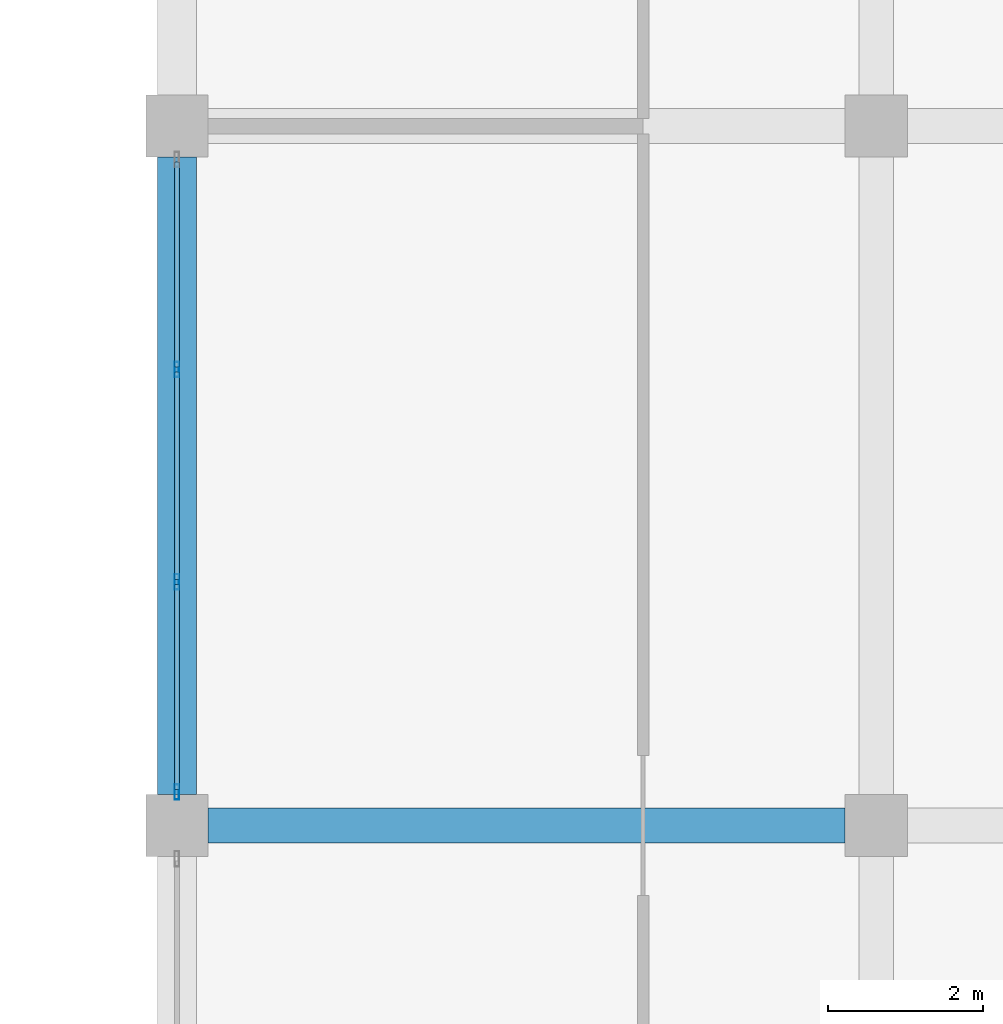
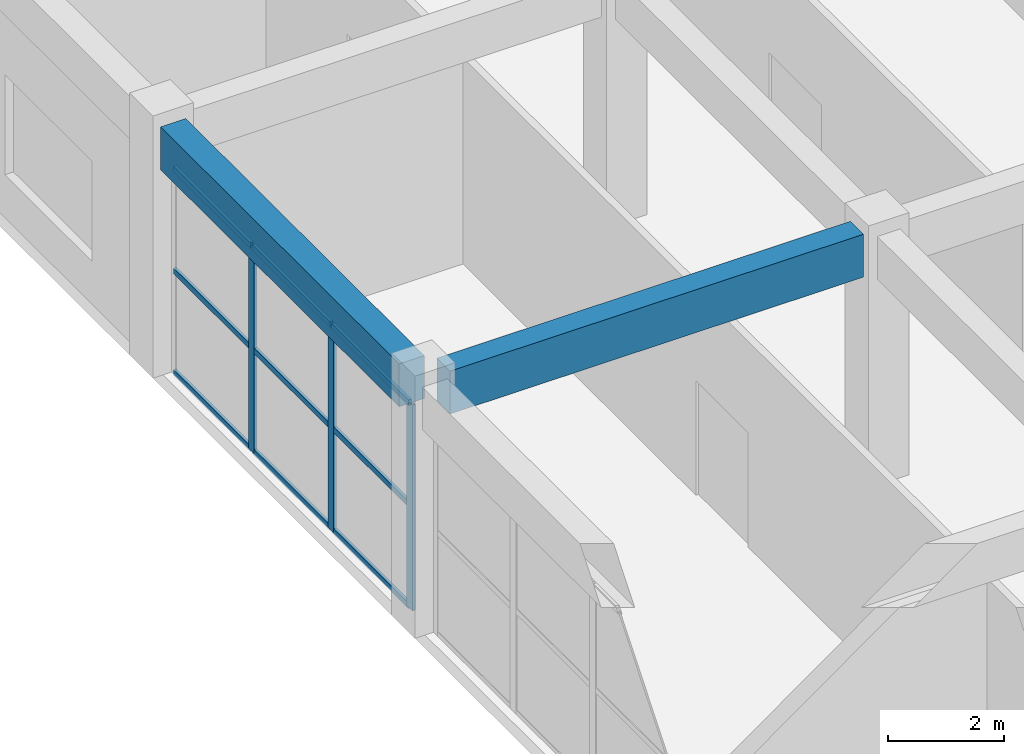
# One storey, part 210 of 437: 12 members, 2 beams, 1 element without a shape of its own.
"""IFC4 building model written with IfcOpenShell, lengths in metres."""

from ifc_helpers import new_model, si_unit, direction, frame, origin, origin_2d, place, context, subcontext, project, spatial, rectangle, hollow_rectangle, extrude, material, layer, layer_set, material_profile, profile_set, type_object, element, aggregate, save


model = new_model("IFC4")

# Units and contexts
model_context = context("Model", 3, precision=1e-05, world=origin(), true_north=direction((0.0, 1.0)))
body_context = subcontext(model_context, "Body", "Model", "MODEL_VIEW")
ifc_project = project(units=[si_unit("LENGTHUNIT", "METRE"), si_unit("AREAUNIT", "SQUARE_METRE"), si_unit("VOLUMEUNIT", "CUBIC_METRE"), si_unit("PLANEANGLEUNIT", "RADIAN"), si_unit("MASSUNIT", "GRAM", prefix="KILO")], contexts=[model_context])

# Site, building, storey
site_placement = place(None, origin())
site = spatial("IfcSite", under=ifc_project, at=site_placement, CompositionType="ELEMENT")
building_placement = place(site_placement, origin())
building = spatial("IfcBuilding", under=site, at=building_placement, Name="Opaline Strait Convention Centre", CompositionType="ELEMENT")
storey_placement = place(building_placement, frame((0.0, 0.0, 11.5)))
storey = spatial("IfcBuildingStorey", under=building, at=storey_placement, Name="L02", CompositionType="ELEMENT", Elevation=11.5)

# Curtain wall, members
ifc_material_1 = material(Name="Aluminium framed double glazing", Category="aluminium")
ifc_layer = layer(ifc_material_1, 0.199951171875)
ifc_layer_set = layer_set([ifc_layer], Name="Aluminium framed double glazing")
curtain_wall_type = type_object("IfcCurtainWallType", Name="Curtain wall 3000 module unitised", PredefinedType="NOTDEFINED", material=ifc_layer_set)
curtain_wall_placement = place(storey_placement, origin())
curtain_wall = element("IfcCurtainWall", 1, at=curtain_wall_placement, inside=storey, type_object=curtain_wall_type, Name="Curtain wall W L02 32/T", PredefinedType="NOTDEFINED")
ifc_material_2 = material(Name="Aluminium alloy 6063", Category="aluminium")
ifc_material_profile_1 = material_profile(ifc_material_2, hollow_rectangle(XDim=0.06005859375, YDim=0.199951171875, WallThickness=0.00390625, at=origin_2d()), Name="MULLION 60x200x4")
ifc_profile_set_1 = profile_set([ifc_material_profile_1], Name="Aluminium alloy 6063")
member_type_1 = type_object("IfcMemberType", Name="Curtain wall mullion 60 x 200", PredefinedType="MULLION", material=ifc_profile_set_1)
member_1_placement = place(storey_placement, frame((279.0, 153.429931640625, 0.0), z_axis=(0.0, 0.0, 1.0), x_axis=(-1.0, 0.0, 0.0)))
member_1 = element("IfcMember", 2, at=member_1_placement, type_object=member_type_1, Name="MCWR1 mullion 1", PredefinedType="MULLION", context=body_context, shape_type="SweptSolid", body=[
    extrude(hollow_rectangle(XDim=0.06005859375, YDim=0.199951171875, WallThickness=0.00390625, at=origin_2d()), origin(), (0.0, 0.0, 1.0), 4.320068359375),
])
member_2_placement = place(storey_placement, frame((279.0, 156.13330078125, 0.0), z_axis=(0.0, 0.0, 1.0), x_axis=(-1.0, 0.0, 0.0)))
member_2 = element("IfcMember", 3, at=member_2_placement, type_object=member_type_1, Name="MCWR1 mullion 2", PredefinedType="MULLION", context=body_context, shape_type="SweptSolid", body=[
    extrude(hollow_rectangle(XDim=0.06005859375, YDim=0.199951171875, WallThickness=0.00390625, at=origin_2d()), origin(), (0.0, 0.0, 1.0), 4.320068359375),
])
member_3_placement = place(storey_placement, frame((279.0, 158.86669921875, 0.0), z_axis=(0.0, 0.0, 1.0), x_axis=(-1.0, 0.0, 0.0)))
member_3 = element("IfcMember", 4, at=member_3_placement, type_object=member_type_1, Name="MCWR1 mullion 3", PredefinedType="MULLION", context=body_context, shape_type="SweptSolid", body=[
    extrude(hollow_rectangle(XDim=0.06005859375, YDim=0.199951171875, WallThickness=0.00390625, at=origin_2d()), origin(), (0.0, 0.0, 1.0), 4.320068359375),
])
ifc_material_profile_2 = material_profile(ifc_material_2, hollow_rectangle(XDim=0.06005859375, YDim=0.1201171875, WallThickness=0.0029296875, at=origin_2d()), Name="TRANSOM 60x120x3")
ifc_profile_set_2 = profile_set([ifc_material_profile_2], Name="Aluminium alloy 6063")
member_type_2 = type_object("IfcMemberType", Name="Curtain wall transom 60 x 120", PredefinedType="USERDEFINED", material=ifc_profile_set_2)
member_4_placement = place(storey_placement, frame((279.0, 153.4599609375, 0.030029296875), z_axis=(0.0, 1.0, 0.0), x_axis=(-1.0, 0.0, 0.0)))
member_4 = element("IfcMember", 5, at=member_4_placement, type_object=member_type_2, Name="MCWR1 transom 1.1", ObjectType="TRANSOM", PredefinedType="USERDEFINED", context=body_context, shape_type="SweptSolid", body=[
    extrude(hollow_rectangle(XDim=0.06005859375, YDim=0.1201171875, WallThickness=0.0029296875, at=origin_2d()), origin(), (0.0, 0.0, 1.0), 2.643310546875),
])
member_5_placement = place(storey_placement, frame((279.0, 153.4599609375, 2.159912109375), z_axis=(0.0, 1.0, 0.0), x_axis=(-1.0, 0.0, 0.0)))
member_5 = element("IfcMember", 6, at=member_5_placement, type_object=member_type_2, Name="MCWR1 transom 1.2", ObjectType="TRANSOM", PredefinedType="USERDEFINED", context=body_context, shape_type="SweptSolid", body=[
    extrude(hollow_rectangle(XDim=0.06005859375, YDim=0.1201171875, WallThickness=0.0029296875, at=origin_2d()), origin(), (0.0, 0.0, 1.0), 2.643310546875),
])
member_6_placement = place(storey_placement, frame((279.0, 153.4599609375, 4.2900390625), z_axis=(0.0, 1.0, 0.0), x_axis=(-1.0, 0.0, 0.0)))
member_6 = element("IfcMember", 7, at=member_6_placement, type_object=member_type_2, Name="MCWR1 transom 1.3", ObjectType="TRANSOM", PredefinedType="USERDEFINED", context=body_context, shape_type="SweptSolid", body=[
    extrude(hollow_rectangle(XDim=0.06005859375, YDim=0.1201171875, WallThickness=0.0029296875, at=origin_2d()), origin(), (0.0, 0.0, 1.0), 2.643310546875),
])
member_7_placement = place(storey_placement, frame((279.0, 156.163330078125, 0.030029296875), z_axis=(0.0, 1.0, 0.0), x_axis=(-1.0, 0.0, 0.0)))
member_7 = element("IfcMember", 8, at=member_7_placement, type_object=member_type_2, Name="MCWR1 transom 2.1", ObjectType="TRANSOM", PredefinedType="USERDEFINED", context=body_context, shape_type="SweptSolid", body=[
    extrude(hollow_rectangle(XDim=0.06005859375, YDim=0.1201171875, WallThickness=0.0029296875, at=origin_2d()), origin(), (0.0, 0.0, 1.0), 2.67333984375),
])
member_8_placement = place(storey_placement, frame((279.0, 156.163330078125, 2.159912109375), z_axis=(0.0, 1.0, 0.0), x_axis=(-1.0, 0.0, 0.0)))
member_8 = element("IfcMember", 9, at=member_8_placement, type_object=member_type_2, Name="MCWR1 transom 2.2", ObjectType="TRANSOM", PredefinedType="USERDEFINED", context=body_context, shape_type="SweptSolid", body=[
    extrude(hollow_rectangle(XDim=0.06005859375, YDim=0.1201171875, WallThickness=0.0029296875, at=origin_2d()), origin(), (0.0, 0.0, 1.0), 2.67333984375),
])
member_9_placement = place(storey_placement, frame((279.0, 156.163330078125, 4.2900390625), z_axis=(0.0, 1.0, 0.0), x_axis=(-1.0, 0.0, 0.0)))
member_9 = element("IfcMember", 10, at=member_9_placement, type_object=member_type_2, Name="MCWR1 transom 2.3", ObjectType="TRANSOM", PredefinedType="USERDEFINED", context=body_context, shape_type="SweptSolid", body=[
    extrude(hollow_rectangle(XDim=0.06005859375, YDim=0.1201171875, WallThickness=0.0029296875, at=origin_2d()), origin(), (0.0, 0.0, 1.0), 2.67333984375),
])
member_10_placement = place(storey_placement, frame((279.0, 158.896728515625, 0.030029296875), z_axis=(0.0, 1.0, 0.0), x_axis=(-1.0, 0.0, 0.0)))
member_10 = element("IfcMember", 11, at=member_10_placement, type_object=member_type_2, Name="MCWR1 transom 3.1", ObjectType="TRANSOM", PredefinedType="USERDEFINED", context=body_context, shape_type="SweptSolid", body=[
    extrude(hollow_rectangle(XDim=0.06005859375, YDim=0.1201171875, WallThickness=0.0029296875, at=origin_2d()), origin(), (0.0, 0.0, 1.0), 2.643310546875),
])
member_11_placement = place(storey_placement, frame((279.0, 158.896728515625, 2.159912109375), z_axis=(0.0, 1.0, 0.0), x_axis=(-1.0, 0.0, 0.0)))
member_11 = element("IfcMember", 12, at=member_11_placement, type_object=member_type_2, Name="MCWR1 transom 3.2", ObjectType="TRANSOM", PredefinedType="USERDEFINED", context=body_context, shape_type="SweptSolid", body=[
    extrude(hollow_rectangle(XDim=0.06005859375, YDim=0.1201171875, WallThickness=0.0029296875, at=origin_2d()), origin(), (0.0, 0.0, 1.0), 2.643310546875),
])
member_12_placement = place(storey_placement, frame((279.0, 158.896728515625, 4.2900390625), z_axis=(0.0, 1.0, 0.0), x_axis=(-1.0, 0.0, 0.0)))
member_12 = element("IfcMember", 13, at=member_12_placement, type_object=member_type_2, Name="MCWR1 transom 3.3", ObjectType="TRANSOM", PredefinedType="USERDEFINED", context=body_context, shape_type="SweptSolid", body=[
    extrude(hollow_rectangle(XDim=0.06005859375, YDim=0.1201171875, WallThickness=0.0029296875, at=origin_2d()), origin(), (0.0, 0.0, 1.0), 2.643310546875),
])
aggregate(curtain_wall, [member_1, member_2, member_3, member_4, member_5, member_6, member_7, member_8, member_9, member_10, member_11, member_12])

# Beams
ifc_material_3 = material(Name="Concrete C35", Category="concrete")
ifc_material_profile_3 = material_profile(ifc_material_3, rectangle(XDim=0.449951171875, YDim=0.89990234375, at=origin_2d()), Name="RC 450x900")
ifc_profile_set_3 = profile_set([ifc_material_profile_3], Name="Concrete C35")
beam_type_1 = type_object("IfcBeamType", Name="RC beam 450x900 C35", PredefinedType="BEAM", material=ifc_profile_set_3)
beam_1_placement = place(storey_placement, frame((279.39990234375, 153.0, 4.77001953125), z_axis=(1.0, 0.0, 0.0), x_axis=(0.0, 1.0, 0.0)))
element("IfcBeam", 14, at=beam_1_placement, inside=storey, type_object=beam_type_1, Name="XB1 L02 32/T-33/T", PredefinedType="BEAM", context=body_context, shape_type="SweptSolid", body=[
    extrude(rectangle(XDim=0.449951171875, YDim=0.89990234375, at=origin_2d()), origin(), (0.0, 0.0, 1.0), 8.2001953125),
])
ifc_material_profile_4 = material_profile(ifc_material_3, rectangle(XDim=0.5, YDim=0.89990234375, at=origin_2d()), Name="RC 500x900")
ifc_profile_set_4 = profile_set([ifc_material_profile_4], Name="Concrete C35")
beam_type_2 = type_object("IfcBeamType", Name="RC edge beam 500x900 C35", PredefinedType="BEAM", material=ifc_profile_set_4)
beam_2_placement = place(storey_placement, frame((279.0, 153.39990234375, 4.77001953125), z_axis=(0.0, 1.0, 0.0), x_axis=(-1.0, 0.0, 0.0)))
element("IfcBeam", 15, at=beam_2_placement, inside=storey, type_object=beam_type_2, Name="MRB2 L02 32/T-32/U", PredefinedType="BEAM", context=body_context, shape_type="SweptSolid", body=[
    extrude(rectangle(XDim=0.5, YDim=0.89990234375, at=origin_2d()), origin(), (0.0, 0.0, 1.0), 8.2001953125),
])

save(model, "model.ifc")
